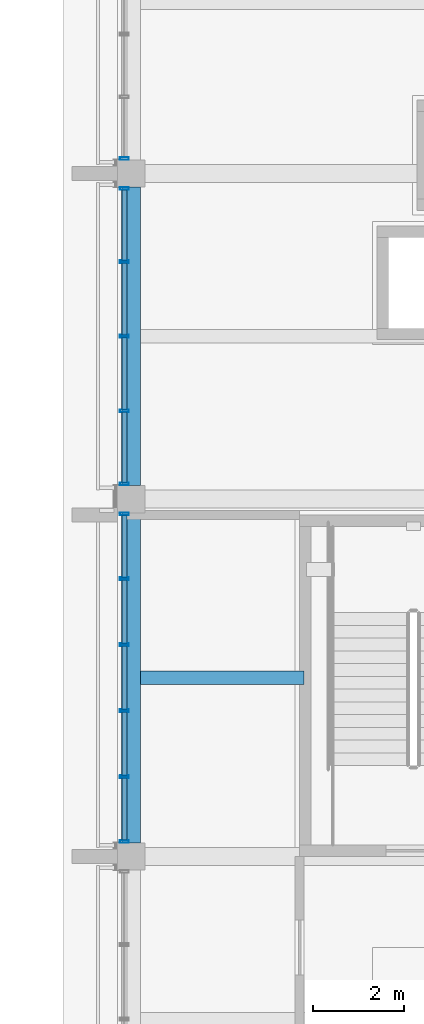
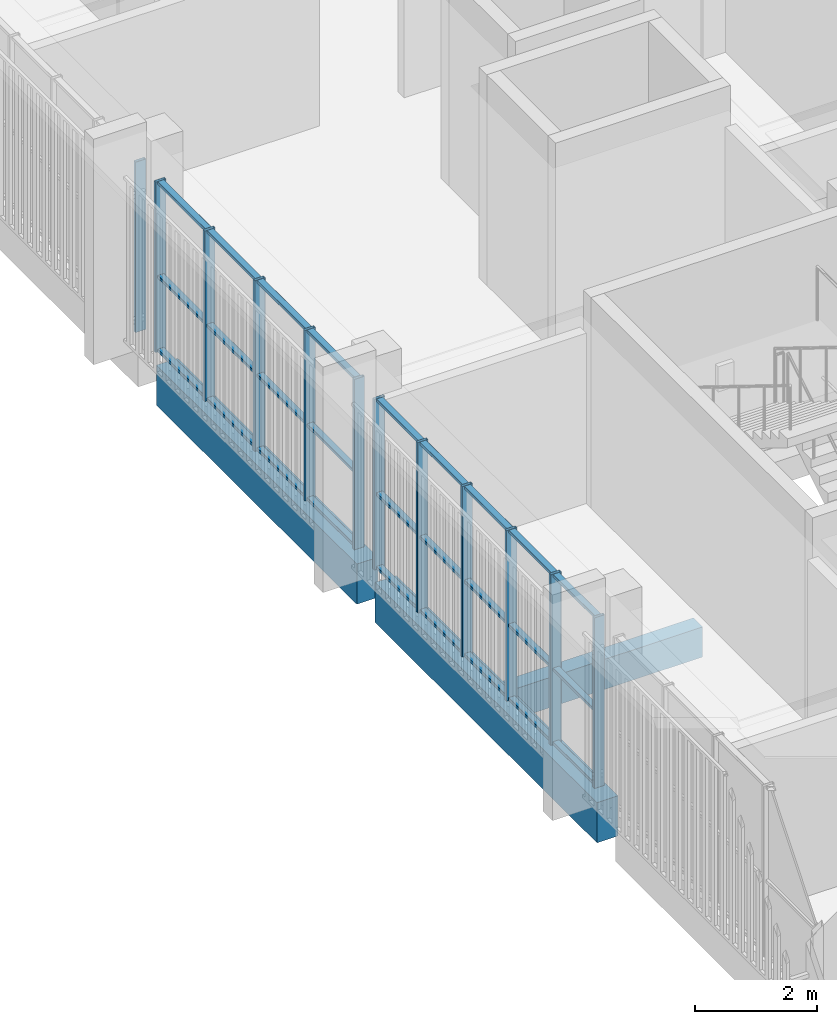
# One storey, part 24 of 98: 39 members, 3 beams, 3 elements without a shape of their own.
"""IFC4 building model written with IfcOpenShell, lengths in metres."""

from ifc_helpers import new_model, si_unit, direction, frame, origin, origin_2d, place, context, subcontext, project, spatial, rectangle, hollow_rectangle, extrude, material, material_profile, profile_set, type_object, element, aggregate, save


model = new_model("IFC4")

# Units and contexts
model_context = context("Model", 3, precision=1e-05, world=origin(), true_north=direction((0.0, 1.0)))
body_context = subcontext(model_context, "Body", "Model", "MODEL_VIEW")
ifc_project = project(units=[si_unit("LENGTHUNIT", "METRE"), si_unit("AREAUNIT", "SQUARE_METRE"), si_unit("VOLUMEUNIT", "CUBIC_METRE"), si_unit("PLANEANGLEUNIT", "RADIAN"), si_unit("MASSUNIT", "GRAM", prefix="KILO")], contexts=[model_context])

# Site, building, storey
site_placement = place(None, origin())
site = spatial("IfcSite", under=ifc_project, at=site_placement, CompositionType="ELEMENT")
building_placement = place(site_placement, origin())
building = spatial("IfcBuilding", under=site, at=building_placement, Name="Sun Court Science Centre", CompositionType="ELEMENT")
storey_placement = place(building_placement, frame((0.0, 0.0, 15.75)))
storey = spatial("IfcBuildingStorey", under=building, at=storey_placement, Name="L03", CompositionType="ELEMENT", Elevation=15.75)

# Curtain wall, members
ifc_material_1 = material(Name="Aluminium EN AW-6063 T6", Category="aluminium")
curtain_wall_type = type_object("IfcCurtainWallType", Name="Laboratory tall bay curtain wall 1500", PredefinedType="NOTDEFINED", material=ifc_material_1)
curtain_wall_1_placement = place(storey_placement, origin())
curtain_wall_1 = element("IfcCurtainWall", 1, at=curtain_wall_1_placement, inside=storey, type_object=curtain_wall_type, Name="Curtain wall V4 W L03 04", PredefinedType="NOTDEFINED")
ifc_material_2 = material(Name="Aluminium EN AW-6063 T6", Category="aluminium")
ifc_material_profile_1 = material_profile(ifc_material_2, hollow_rectangle(XDim=0.06005859375, YDim=0.199951171875, WallThickness=0.0048828125, InnerFilletRadius=0.0048828125, OuterFilletRadius=0.007568359375, at=origin_2d()), Name="AL 60x200x5")
ifc_profile_set_1 = profile_set([ifc_material_profile_1], Name="Aluminium EN AW-6063 T6")
member_type_1 = type_object("IfcMemberType", Name="Curtain wall mullion AL 60x200", PredefinedType="MULLION", material=ifc_profile_set_1)
member_1_placement = place(storey_placement, frame((78.14990234375, 36.330078125, 0.0), z_axis=(0.0, 0.0, 1.0), x_axis=(0.0, 1.0, 0.0)))
member_1 = element("IfcMember", 2, at=member_1_placement, type_object=member_type_1, Name="CW2-31 mullion 1", PredefinedType="MULLION", context=body_context, shape_type="SweptSolid", body=[
    extrude(hollow_rectangle(XDim=0.06005859375, YDim=0.199951171875, WallThickness=0.0048828125, InnerFilletRadius=0.0048828125, OuterFilletRadius=0.007568359375, at=origin_2d()), origin(), (0.0, 0.0, 1.0), 3.39990234375),
])
member_2_placement = place(storey_placement, frame((78.14990234375, 37.75, 0.0), z_axis=(0.0, 0.0, 1.0), x_axis=(0.0, 1.0, 0.0)))
member_2 = element("IfcMember", 3, at=member_2_placement, type_object=member_type_1, Name="CW2-31 mullion 2", PredefinedType="MULLION", context=body_context, shape_type="SweptSolid", body=[
    extrude(hollow_rectangle(XDim=0.06005859375, YDim=0.199951171875, WallThickness=0.0048828125, InnerFilletRadius=0.0048828125, OuterFilletRadius=0.007568359375, at=origin_2d()), origin(), (0.0, 0.0, 1.0), 3.39990234375),
])
member_3_placement = place(storey_placement, frame((78.14990234375, 39.199951171875, 0.0), z_axis=(0.0, 0.0, 1.0), x_axis=(0.0, 1.0, 0.0)))
member_3 = element("IfcMember", 4, at=member_3_placement, type_object=member_type_1, Name="CW2-31 mullion 3", PredefinedType="MULLION", context=body_context, shape_type="SweptSolid", body=[
    extrude(hollow_rectangle(XDim=0.06005859375, YDim=0.199951171875, WallThickness=0.0048828125, InnerFilletRadius=0.0048828125, OuterFilletRadius=0.007568359375, at=origin_2d()), origin(), (0.0, 0.0, 1.0), 3.39990234375),
])
member_4_placement = place(storey_placement, frame((78.14990234375, 40.64990234375, 0.0), z_axis=(0.0, 0.0, 1.0), x_axis=(0.0, 1.0, 0.0)))
member_4 = element("IfcMember", 5, at=member_4_placement, type_object=member_type_1, Name="CW2-31 mullion 4", PredefinedType="MULLION", context=body_context, shape_type="SweptSolid", body=[
    extrude(hollow_rectangle(XDim=0.06005859375, YDim=0.199951171875, WallThickness=0.0048828125, InnerFilletRadius=0.0048828125, OuterFilletRadius=0.007568359375, at=origin_2d()), origin(), (0.0, 0.0, 1.0), 3.39990234375),
])
member_5_placement = place(storey_placement, frame((78.14990234375, 42.10009765625, 0.0), z_axis=(0.0, 0.0, 1.0), x_axis=(0.0, 1.0, 0.0)))
member_5 = element("IfcMember", 6, at=member_5_placement, type_object=member_type_1, Name="CW2-31 mullion 5", PredefinedType="MULLION", context=body_context, shape_type="SweptSolid", body=[
    extrude(hollow_rectangle(XDim=0.06005859375, YDim=0.199951171875, WallThickness=0.0048828125, InnerFilletRadius=0.0048828125, OuterFilletRadius=0.007568359375, at=origin_2d()), origin(), (0.0, 0.0, 1.0), 3.39990234375),
])
member_6_placement = place(storey_placement, frame((78.14990234375, 43.52001953125, 0.0), z_axis=(0.0, 0.0, 1.0), x_axis=(0.0, 1.0, 0.0)))
member_6 = element("IfcMember", 7, at=member_6_placement, type_object=member_type_1, Name="CW2-31 mullion 6", PredefinedType="MULLION", context=body_context, shape_type="SweptSolid", body=[
    extrude(hollow_rectangle(XDim=0.06005859375, YDim=0.199951171875, WallThickness=0.0048828125, InnerFilletRadius=0.0048828125, OuterFilletRadius=0.007568359375, at=origin_2d()), origin(), (0.0, 0.0, 1.0), 3.39990234375),
])

curtain_wall_2_placement = place(storey_placement, origin())
curtain_wall_2 = element("IfcCurtainWall", 8, at=curtain_wall_2_placement, inside=storey, type_object=curtain_wall_type, Name="Curtain wall V4 W L03 05", PredefinedType="NOTDEFINED")
member_7_placement = place(storey_placement, frame((78.14990234375, 44.179931640625, 0.0), z_axis=(0.0, 0.0, 1.0), x_axis=(0.0, 1.0, 0.0)))
member_7 = element("IfcMember", 9, at=member_7_placement, type_object=member_type_1, Name="CW2-32 mullion 1", PredefinedType="MULLION", context=body_context, shape_type="SweptSolid", body=[
    extrude(hollow_rectangle(XDim=0.06005859375, YDim=0.199951171875, WallThickness=0.0048828125, InnerFilletRadius=0.0048828125, OuterFilletRadius=0.007568359375, at=origin_2d()), origin(), (0.0, 0.0, 1.0), 3.39990234375),
])
member_8_placement = place(storey_placement, frame((78.14990234375, 45.78759765625, 0.0), z_axis=(0.0, 0.0, 1.0), x_axis=(0.0, 1.0, 0.0)))
member_8 = element("IfcMember", 10, at=member_8_placement, type_object=member_type_1, Name="CW2-32 mullion 2", PredefinedType="MULLION", context=body_context, shape_type="SweptSolid", body=[
    extrude(hollow_rectangle(XDim=0.06005859375, YDim=0.199951171875, WallThickness=0.0048828125, InnerFilletRadius=0.0048828125, OuterFilletRadius=0.007568359375, at=origin_2d()), origin(), (0.0, 0.0, 1.0), 3.39990234375),
])
member_9_placement = place(storey_placement, frame((78.14990234375, 47.425048828125, 0.0), z_axis=(0.0, 0.0, 1.0), x_axis=(0.0, 1.0, 0.0)))
member_9 = element("IfcMember", 11, at=member_9_placement, type_object=member_type_1, Name="CW2-32 mullion 3", PredefinedType="MULLION", context=body_context, shape_type="SweptSolid", body=[
    extrude(hollow_rectangle(XDim=0.06005859375, YDim=0.199951171875, WallThickness=0.0048828125, InnerFilletRadius=0.0048828125, OuterFilletRadius=0.007568359375, at=origin_2d()), origin(), (0.0, 0.0, 1.0), 3.39990234375),
])
member_10_placement = place(storey_placement, frame((78.14990234375, 49.0625, 0.0), z_axis=(0.0, 0.0, 1.0), x_axis=(0.0, 1.0, 0.0)))
member_10 = element("IfcMember", 12, at=member_10_placement, type_object=member_type_1, Name="CW2-32 mullion 4", PredefinedType="MULLION", context=body_context, shape_type="SweptSolid", body=[
    extrude(hollow_rectangle(XDim=0.06005859375, YDim=0.199951171875, WallThickness=0.0048828125, InnerFilletRadius=0.0048828125, OuterFilletRadius=0.007568359375, at=origin_2d()), origin(), (0.0, 0.0, 1.0), 3.39990234375),
])
member_11_placement = place(storey_placement, frame((78.14990234375, 50.669921875, 0.0), z_axis=(0.0, 0.0, 1.0), x_axis=(0.0, 1.0, 0.0)))
member_11 = element("IfcMember", 13, at=member_11_placement, type_object=member_type_1, Name="CW2-32 mullion 5", PredefinedType="MULLION", context=body_context, shape_type="SweptSolid", body=[
    extrude(hollow_rectangle(XDim=0.06005859375, YDim=0.199951171875, WallThickness=0.0048828125, InnerFilletRadius=0.0048828125, OuterFilletRadius=0.007568359375, at=origin_2d()), origin(), (0.0, 0.0, 1.0), 3.39990234375),
])

# Curtain wall, member
curtain_wall_3_placement = place(storey_placement, origin())
curtain_wall_3 = element("IfcCurtainWall", 14, at=curtain_wall_3_placement, inside=storey, type_object=curtain_wall_type, Name="Curtain wall V4 W L03 06", PredefinedType="NOTDEFINED")
member_12_placement = place(storey_placement, frame((78.14990234375, 51.330078125, 0.0), z_axis=(0.0, 0.0, 1.0), x_axis=(0.0, 1.0, 0.0)))
member_12 = element("IfcMember", 15, at=member_12_placement, type_object=member_type_1, Name="CW2-33 mullion 1", PredefinedType="MULLION", context=body_context, shape_type="SweptSolid", body=[
    extrude(hollow_rectangle(XDim=0.06005859375, YDim=0.199951171875, WallThickness=0.0048828125, InnerFilletRadius=0.0048828125, OuterFilletRadius=0.007568359375, at=origin_2d()), origin(), (0.0, 0.0, 1.0), 3.39990234375),
])
aggregate(curtain_wall_3, [member_12])

# Member
ifc_material_3 = material(Name="Aluminium EN AW-6063 T6", Category="aluminium")
ifc_material_profile_2 = material_profile(ifc_material_3, hollow_rectangle(XDim=0.06005859375, YDim=0.1201171875, WallThickness=0.00390625, InnerFilletRadius=0.00390625, OuterFilletRadius=0.006103515625, at=origin_2d()), Name="AL 60x120x4")
ifc_profile_set_2 = profile_set([ifc_material_profile_2], Name="Aluminium EN AW-6063 T6")
member_type_2 = type_object("IfcMemberType", Name="Curtain wall transom AL 60x120", PredefinedType="USERDEFINED", material=ifc_profile_set_2)
member_13_placement = place(storey_placement, frame((78.14990234375, 36.360107421875, 0.030029296875), z_axis=(0.0, 1.0, 0.0), x_axis=(0.0, 0.0, 1.0)))
member_13 = element("IfcMember", 16, at=member_13_placement, type_object=member_type_2, Name="CW2-31 transom 1.1", ObjectType="TRANSOM", PredefinedType="USERDEFINED", context=body_context, shape_type="SweptSolid", body=[
    extrude(hollow_rectangle(XDim=0.06005859375, YDim=0.1201171875, WallThickness=0.00390625, InnerFilletRadius=0.00390625, OuterFilletRadius=0.006103515625, at=origin_2d()), origin(), (0.0, 0.0, 1.0), 1.35986328125),
])

member_14_placement = place(storey_placement, frame((78.14990234375, 37.780029296875, 0.030029296875), z_axis=(0.0, 1.0, 0.0), x_axis=(0.0, 0.0, 1.0)))
member_14 = element("IfcMember", 17, at=member_14_placement, type_object=member_type_2, Name="CW2-31 transom 2.1", ObjectType="TRANSOM", PredefinedType="USERDEFINED", context=body_context, shape_type="SweptSolid", body=[
    extrude(hollow_rectangle(XDim=0.06005859375, YDim=0.1201171875, WallThickness=0.00390625, InnerFilletRadius=0.00390625, OuterFilletRadius=0.006103515625, at=origin_2d()), origin(), (0.0, 0.0, 1.0), 1.389892578125),
])

member_15_placement = place(storey_placement, frame((78.14990234375, 39.22998046875, 0.030029296875), z_axis=(0.0, 1.0, 0.0), x_axis=(0.0, 0.0, 1.0)))
member_15 = element("IfcMember", 18, at=member_15_placement, type_object=member_type_2, Name="CW2-31 transom 3.1", ObjectType="TRANSOM", PredefinedType="USERDEFINED", context=body_context, shape_type="SweptSolid", body=[
    extrude(hollow_rectangle(XDim=0.06005859375, YDim=0.1201171875, WallThickness=0.00390625, InnerFilletRadius=0.00390625, OuterFilletRadius=0.006103515625, at=origin_2d()), origin(), (0.0, 0.0, 1.0), 1.39013671875),
])

member_16_placement = place(storey_placement, frame((78.14990234375, 40.679931640625, 0.030029296875), z_axis=(0.0, 1.0, 0.0), x_axis=(0.0, 0.0, 1.0)))
member_16 = element("IfcMember", 19, at=member_16_placement, type_object=member_type_2, Name="CW2-31 transom 4.1", ObjectType="TRANSOM", PredefinedType="USERDEFINED", context=body_context, shape_type="SweptSolid", body=[
    extrude(hollow_rectangle(XDim=0.06005859375, YDim=0.1201171875, WallThickness=0.00390625, InnerFilletRadius=0.00390625, OuterFilletRadius=0.006103515625, at=origin_2d()), origin(), (0.0, 0.0, 1.0), 1.39013671875),
])

member_17_placement = place(storey_placement, frame((78.14990234375, 42.1298828125, 0.030029296875), z_axis=(0.0, 1.0, 0.0), x_axis=(0.0, 0.0, 1.0)))
member_17 = element("IfcMember", 20, at=member_17_placement, type_object=member_type_2, Name="CW2-31 transom 5.1", ObjectType="TRANSOM", PredefinedType="USERDEFINED", context=body_context, shape_type="SweptSolid", body=[
    extrude(hollow_rectangle(XDim=0.06005859375, YDim=0.1201171875, WallThickness=0.00390625, InnerFilletRadius=0.00390625, OuterFilletRadius=0.006103515625, at=origin_2d()), origin(), (0.0, 0.0, 1.0), 1.360107421875),
])

member_18_placement = place(storey_placement, frame((78.14990234375, 36.360107421875, 1.5), z_axis=(0.0, 1.0, 0.0), x_axis=(0.0, 0.0, 1.0)))
member_18 = element("IfcMember", 21, at=member_18_placement, type_object=member_type_2, Name="CW2-31 transom 1.2", ObjectType="TRANSOM", PredefinedType="USERDEFINED", context=body_context, shape_type="SweptSolid", body=[
    extrude(hollow_rectangle(XDim=0.06005859375, YDim=0.1201171875, WallThickness=0.00390625, InnerFilletRadius=0.00390625, OuterFilletRadius=0.006103515625, at=origin_2d()), origin(), (0.0, 0.0, 1.0), 1.35986328125),
])

member_19_placement = place(storey_placement, frame((78.14990234375, 37.780029296875, 1.5), z_axis=(0.0, 1.0, 0.0), x_axis=(0.0, 0.0, 1.0)))
member_19 = element("IfcMember", 22, at=member_19_placement, type_object=member_type_2, Name="CW2-31 transom 2.2", ObjectType="TRANSOM", PredefinedType="USERDEFINED", context=body_context, shape_type="SweptSolid", body=[
    extrude(hollow_rectangle(XDim=0.06005859375, YDim=0.1201171875, WallThickness=0.00390625, InnerFilletRadius=0.00390625, OuterFilletRadius=0.006103515625, at=origin_2d()), origin(), (0.0, 0.0, 1.0), 1.389892578125),
])

member_20_placement = place(storey_placement, frame((78.14990234375, 39.22998046875, 1.5), z_axis=(0.0, 1.0, 0.0), x_axis=(0.0, 0.0, 1.0)))
member_20 = element("IfcMember", 23, at=member_20_placement, type_object=member_type_2, Name="CW2-31 transom 3.2", ObjectType="TRANSOM", PredefinedType="USERDEFINED", context=body_context, shape_type="SweptSolid", body=[
    extrude(hollow_rectangle(XDim=0.06005859375, YDim=0.1201171875, WallThickness=0.00390625, InnerFilletRadius=0.00390625, OuterFilletRadius=0.006103515625, at=origin_2d()), origin(), (0.0, 0.0, 1.0), 1.39013671875),
])

member_21_placement = place(storey_placement, frame((78.14990234375, 40.679931640625, 1.5), z_axis=(0.0, 1.0, 0.0), x_axis=(0.0, 0.0, 1.0)))
member_21 = element("IfcMember", 24, at=member_21_placement, type_object=member_type_2, Name="CW2-31 transom 4.2", ObjectType="TRANSOM", PredefinedType="USERDEFINED", context=body_context, shape_type="SweptSolid", body=[
    extrude(hollow_rectangle(XDim=0.06005859375, YDim=0.1201171875, WallThickness=0.00390625, InnerFilletRadius=0.00390625, OuterFilletRadius=0.006103515625, at=origin_2d()), origin(), (0.0, 0.0, 1.0), 1.39013671875),
])

member_22_placement = place(storey_placement, frame((78.14990234375, 42.1298828125, 1.5), z_axis=(0.0, 1.0, 0.0), x_axis=(0.0, 0.0, 1.0)))
member_22 = element("IfcMember", 25, at=member_22_placement, type_object=member_type_2, Name="CW2-31 transom 5.2", ObjectType="TRANSOM", PredefinedType="USERDEFINED", context=body_context, shape_type="SweptSolid", body=[
    extrude(hollow_rectangle(XDim=0.06005859375, YDim=0.1201171875, WallThickness=0.00390625, InnerFilletRadius=0.00390625, OuterFilletRadius=0.006103515625, at=origin_2d()), origin(), (0.0, 0.0, 1.0), 1.360107421875),
])

member_23_placement = place(storey_placement, frame((78.14990234375, 36.360107421875, 3.3701171875), z_axis=(0.0, 1.0, 0.0), x_axis=(0.0, 0.0, 1.0)))
member_23 = element("IfcMember", 26, at=member_23_placement, type_object=member_type_2, Name="CW2-31 transom 1.3", ObjectType="TRANSOM", PredefinedType="USERDEFINED", context=body_context, shape_type="SweptSolid", body=[
    extrude(hollow_rectangle(XDim=0.06005859375, YDim=0.1201171875, WallThickness=0.00390625, InnerFilletRadius=0.00390625, OuterFilletRadius=0.006103515625, at=origin_2d()), origin(), (0.0, 0.0, 1.0), 1.35986328125),
])

member_24_placement = place(storey_placement, frame((78.14990234375, 37.780029296875, 3.3701171875), z_axis=(0.0, 1.0, 0.0), x_axis=(0.0, 0.0, 1.0)))
member_24 = element("IfcMember", 27, at=member_24_placement, type_object=member_type_2, Name="CW2-31 transom 2.3", ObjectType="TRANSOM", PredefinedType="USERDEFINED", context=body_context, shape_type="SweptSolid", body=[
    extrude(hollow_rectangle(XDim=0.06005859375, YDim=0.1201171875, WallThickness=0.00390625, InnerFilletRadius=0.00390625, OuterFilletRadius=0.006103515625, at=origin_2d()), origin(), (0.0, 0.0, 1.0), 1.389892578125),
])

member_25_placement = place(storey_placement, frame((78.14990234375, 39.22998046875, 3.3701171875), z_axis=(0.0, 1.0, 0.0), x_axis=(0.0, 0.0, 1.0)))
member_25 = element("IfcMember", 28, at=member_25_placement, type_object=member_type_2, Name="CW2-31 transom 3.3", ObjectType="TRANSOM", PredefinedType="USERDEFINED", context=body_context, shape_type="SweptSolid", body=[
    extrude(hollow_rectangle(XDim=0.06005859375, YDim=0.1201171875, WallThickness=0.00390625, InnerFilletRadius=0.00390625, OuterFilletRadius=0.006103515625, at=origin_2d()), origin(), (0.0, 0.0, 1.0), 1.39013671875),
])

member_26_placement = place(storey_placement, frame((78.14990234375, 40.679931640625, 3.3701171875), z_axis=(0.0, 1.0, 0.0), x_axis=(0.0, 0.0, 1.0)))
member_26 = element("IfcMember", 29, at=member_26_placement, type_object=member_type_2, Name="CW2-31 transom 4.3", ObjectType="TRANSOM", PredefinedType="USERDEFINED", context=body_context, shape_type="SweptSolid", body=[
    extrude(hollow_rectangle(XDim=0.06005859375, YDim=0.1201171875, WallThickness=0.00390625, InnerFilletRadius=0.00390625, OuterFilletRadius=0.006103515625, at=origin_2d()), origin(), (0.0, 0.0, 1.0), 1.39013671875),
])

member_27_placement = place(storey_placement, frame((78.14990234375, 42.1298828125, 3.3701171875), z_axis=(0.0, 1.0, 0.0), x_axis=(0.0, 0.0, 1.0)))
member_27 = element("IfcMember", 30, at=member_27_placement, type_object=member_type_2, Name="CW2-31 transom 5.3", ObjectType="TRANSOM", PredefinedType="USERDEFINED", context=body_context, shape_type="SweptSolid", body=[
    extrude(hollow_rectangle(XDim=0.06005859375, YDim=0.1201171875, WallThickness=0.00390625, InnerFilletRadius=0.00390625, OuterFilletRadius=0.006103515625, at=origin_2d()), origin(), (0.0, 0.0, 1.0), 1.360107421875),
])

aggregate(curtain_wall_1, [member_1, member_2, member_3, member_4, member_5, member_6, member_13, member_14, member_15, member_16, member_17, member_18, member_19, member_20, member_21, member_22, member_23, member_24, member_25, member_26, member_27])

member_28_placement = place(storey_placement, frame((78.14990234375, 44.2099609375, 0.030029296875), z_axis=(0.0, 1.0, 0.0), x_axis=(0.0, 0.0, 1.0)))
member_28 = element("IfcMember", 31, at=member_28_placement, type_object=member_type_2, Name="CW2-32 transom 1.1", ObjectType="TRANSOM", PredefinedType="USERDEFINED", context=body_context, shape_type="SweptSolid", body=[
    extrude(hollow_rectangle(XDim=0.06005859375, YDim=0.1201171875, WallThickness=0.00390625, InnerFilletRadius=0.00390625, OuterFilletRadius=0.006103515625, at=origin_2d()), origin(), (0.0, 0.0, 1.0), 1.547607421875),
])

member_29_placement = place(storey_placement, frame((78.14990234375, 45.8173828125, 0.030029296875), z_axis=(0.0, 1.0, 0.0), x_axis=(0.0, 0.0, 1.0)))
member_29 = element("IfcMember", 32, at=member_29_placement, type_object=member_type_2, Name="CW2-32 transom 2.1", ObjectType="TRANSOM", PredefinedType="USERDEFINED", context=body_context, shape_type="SweptSolid", body=[
    extrude(hollow_rectangle(XDim=0.06005859375, YDim=0.1201171875, WallThickness=0.00390625, InnerFilletRadius=0.00390625, OuterFilletRadius=0.006103515625, at=origin_2d()), origin(), (0.0, 0.0, 1.0), 1.57763671875),
])

member_30_placement = place(storey_placement, frame((78.14990234375, 47.455078125, 0.030029296875), z_axis=(0.0, 1.0, 0.0), x_axis=(0.0, 0.0, 1.0)))
member_30 = element("IfcMember", 33, at=member_30_placement, type_object=member_type_2, Name="CW2-32 transom 3.1", ObjectType="TRANSOM", PredefinedType="USERDEFINED", context=body_context, shape_type="SweptSolid", body=[
    extrude(hollow_rectangle(XDim=0.06005859375, YDim=0.1201171875, WallThickness=0.00390625, InnerFilletRadius=0.00390625, OuterFilletRadius=0.006103515625, at=origin_2d()), origin(), (0.0, 0.0, 1.0), 1.577392578125),
])

member_31_placement = place(storey_placement, frame((78.14990234375, 49.092529296875, 0.030029296875), z_axis=(0.0, 1.0, 0.0), x_axis=(0.0, 0.0, 1.0)))
member_31 = element("IfcMember", 34, at=member_31_placement, type_object=member_type_2, Name="CW2-32 transom 4.1", ObjectType="TRANSOM", PredefinedType="USERDEFINED", context=body_context, shape_type="SweptSolid", body=[
    extrude(hollow_rectangle(XDim=0.06005859375, YDim=0.1201171875, WallThickness=0.00390625, InnerFilletRadius=0.00390625, OuterFilletRadius=0.006103515625, at=origin_2d()), origin(), (0.0, 0.0, 1.0), 1.54736328125),
])

member_32_placement = place(storey_placement, frame((78.14990234375, 44.2099609375, 1.5), z_axis=(0.0, 1.0, 0.0), x_axis=(0.0, 0.0, 1.0)))
member_32 = element("IfcMember", 35, at=member_32_placement, type_object=member_type_2, Name="CW2-32 transom 1.2", ObjectType="TRANSOM", PredefinedType="USERDEFINED", context=body_context, shape_type="SweptSolid", body=[
    extrude(hollow_rectangle(XDim=0.06005859375, YDim=0.1201171875, WallThickness=0.00390625, InnerFilletRadius=0.00390625, OuterFilletRadius=0.006103515625, at=origin_2d()), origin(), (0.0, 0.0, 1.0), 1.547607421875),
])

member_33_placement = place(storey_placement, frame((78.14990234375, 45.8173828125, 1.5), z_axis=(0.0, 1.0, 0.0), x_axis=(0.0, 0.0, 1.0)))
member_33 = element("IfcMember", 36, at=member_33_placement, type_object=member_type_2, Name="CW2-32 transom 2.2", ObjectType="TRANSOM", PredefinedType="USERDEFINED", context=body_context, shape_type="SweptSolid", body=[
    extrude(hollow_rectangle(XDim=0.06005859375, YDim=0.1201171875, WallThickness=0.00390625, InnerFilletRadius=0.00390625, OuterFilletRadius=0.006103515625, at=origin_2d()), origin(), (0.0, 0.0, 1.0), 1.57763671875),
])

member_34_placement = place(storey_placement, frame((78.14990234375, 47.455078125, 1.5), z_axis=(0.0, 1.0, 0.0), x_axis=(0.0, 0.0, 1.0)))
member_34 = element("IfcMember", 37, at=member_34_placement, type_object=member_type_2, Name="CW2-32 transom 3.2", ObjectType="TRANSOM", PredefinedType="USERDEFINED", context=body_context, shape_type="SweptSolid", body=[
    extrude(hollow_rectangle(XDim=0.06005859375, YDim=0.1201171875, WallThickness=0.00390625, InnerFilletRadius=0.00390625, OuterFilletRadius=0.006103515625, at=origin_2d()), origin(), (0.0, 0.0, 1.0), 1.577392578125),
])

member_35_placement = place(storey_placement, frame((78.14990234375, 49.092529296875, 1.5), z_axis=(0.0, 1.0, 0.0), x_axis=(0.0, 0.0, 1.0)))
member_35 = element("IfcMember", 38, at=member_35_placement, type_object=member_type_2, Name="CW2-32 transom 4.2", ObjectType="TRANSOM", PredefinedType="USERDEFINED", context=body_context, shape_type="SweptSolid", body=[
    extrude(hollow_rectangle(XDim=0.06005859375, YDim=0.1201171875, WallThickness=0.00390625, InnerFilletRadius=0.00390625, OuterFilletRadius=0.006103515625, at=origin_2d()), origin(), (0.0, 0.0, 1.0), 1.54736328125),
])

member_36_placement = place(storey_placement, frame((78.14990234375, 44.2099609375, 3.3701171875), z_axis=(0.0, 1.0, 0.0), x_axis=(0.0, 0.0, 1.0)))
member_36 = element("IfcMember", 39, at=member_36_placement, type_object=member_type_2, Name="CW2-32 transom 1.3", ObjectType="TRANSOM", PredefinedType="USERDEFINED", context=body_context, shape_type="SweptSolid", body=[
    extrude(hollow_rectangle(XDim=0.06005859375, YDim=0.1201171875, WallThickness=0.00390625, InnerFilletRadius=0.00390625, OuterFilletRadius=0.006103515625, at=origin_2d()), origin(), (0.0, 0.0, 1.0), 1.547607421875),
])

member_37_placement = place(storey_placement, frame((78.14990234375, 45.8173828125, 3.3701171875), z_axis=(0.0, 1.0, 0.0), x_axis=(0.0, 0.0, 1.0)))
member_37 = element("IfcMember", 40, at=member_37_placement, type_object=member_type_2, Name="CW2-32 transom 2.3", ObjectType="TRANSOM", PredefinedType="USERDEFINED", context=body_context, shape_type="SweptSolid", body=[
    extrude(hollow_rectangle(XDim=0.06005859375, YDim=0.1201171875, WallThickness=0.00390625, InnerFilletRadius=0.00390625, OuterFilletRadius=0.006103515625, at=origin_2d()), origin(), (0.0, 0.0, 1.0), 1.57763671875),
])

member_38_placement = place(storey_placement, frame((78.14990234375, 47.455078125, 3.3701171875), z_axis=(0.0, 1.0, 0.0), x_axis=(0.0, 0.0, 1.0)))
member_38 = element("IfcMember", 41, at=member_38_placement, type_object=member_type_2, Name="CW2-32 transom 3.3", ObjectType="TRANSOM", PredefinedType="USERDEFINED", context=body_context, shape_type="SweptSolid", body=[
    extrude(hollow_rectangle(XDim=0.06005859375, YDim=0.1201171875, WallThickness=0.00390625, InnerFilletRadius=0.00390625, OuterFilletRadius=0.006103515625, at=origin_2d()), origin(), (0.0, 0.0, 1.0), 1.577392578125),
])

member_39_placement = place(storey_placement, frame((78.14990234375, 49.092529296875, 3.3701171875), z_axis=(0.0, 1.0, 0.0), x_axis=(0.0, 0.0, 1.0)))
member_39 = element("IfcMember", 42, at=member_39_placement, type_object=member_type_2, Name="CW2-32 transom 4.3", ObjectType="TRANSOM", PredefinedType="USERDEFINED", context=body_context, shape_type="SweptSolid", body=[
    extrude(hollow_rectangle(XDim=0.06005859375, YDim=0.1201171875, WallThickness=0.00390625, InnerFilletRadius=0.00390625, OuterFilletRadius=0.006103515625, at=origin_2d()), origin(), (0.0, 0.0, 1.0), 1.54736328125),
])

aggregate(curtain_wall_2, [member_7, member_8, member_9, member_10, member_11, member_28, member_29, member_30, member_31, member_32, member_33, member_34, member_35, member_36, member_37, member_38, member_39])

# Beams
ifc_material_4 = material(Name="Concrete C25/30", Category="concrete")
ifc_material_profile_3 = material_profile(ifc_material_4, rectangle(XDim=0.39990234375, YDim=0.800048828125, at=origin_2d()), Name="RC 400x800")
ifc_profile_set_3 = profile_set([ifc_material_profile_3], Name="Concrete C25/30")
beam_type_1 = type_object("IfcBeamType", Name="RC girder 400x800", PredefinedType="BEAM", material=ifc_profile_set_3)
beam_1_placement = place(storey_placement, frame((78.300048828125, 36.300048828125, -0.699951171875), z_axis=(0.0, 1.0, 0.0), x_axis=(-1.0, 0.0, 0.0)))
element("IfcBeam", 43, at=beam_1_placement, inside=storey, type_object=beam_type_1, Name="Girder L03 line 1", PredefinedType="BEAM", context=body_context, shape_type="SweptSolid", body=[
    extrude(rectangle(XDim=0.39990234375, YDim=0.800048828125, at=origin_2d()), origin(), (0.0, 0.0, 1.0), 7.25),
])
beam_2_placement = place(storey_placement, frame((78.300048828125, 44.14990234375, -0.699951171875), z_axis=(0.0, 1.0, 0.0), x_axis=(-1.0, 0.0, 0.0)))
element("IfcBeam", 44, at=beam_2_placement, inside=storey, type_object=beam_type_1, Name="Girder L03 line 1", PredefinedType="BEAM", context=body_context, shape_type="SweptSolid", body=[
    extrude(rectangle(XDim=0.39990234375, YDim=0.800048828125, at=origin_2d()), origin(), (0.0, 0.0, 1.0), 6.550048828125),
])
ifc_material_5 = material(Name="Concrete C25/30", Category="concrete")
ifc_material_profile_4 = material_profile(ifc_material_5, rectangle(XDim=0.300048828125, YDim=0.60009765625, at=origin_2d()), Name="RC 300x600")
ifc_profile_set_4 = profile_set([ifc_material_profile_4], Name="Concrete C25/30")
beam_type_2 = type_object("IfcBeamType", Name="RC joist 300x600", PredefinedType="JOIST", material=ifc_profile_set_4)
beam_3_placement = place(storey_placement, frame((78.5, 39.925048828125, -0.60009765625), z_axis=(1.0, 0.0, 0.0), x_axis=(0.0, 1.0, 0.0)))
element("IfcBeam", 45, at=beam_3_placement, inside=storey, type_object=beam_type_2, Name="Joist L03", PredefinedType="JOIST", context=body_context, shape_type="SweptSolid", body=[
    extrude(rectangle(XDim=0.300048828125, YDim=0.60009765625, at=origin_2d()), origin(), (0.0, 0.0, 1.0), 3.60009765625),
])

save(model, "model.ifc")
